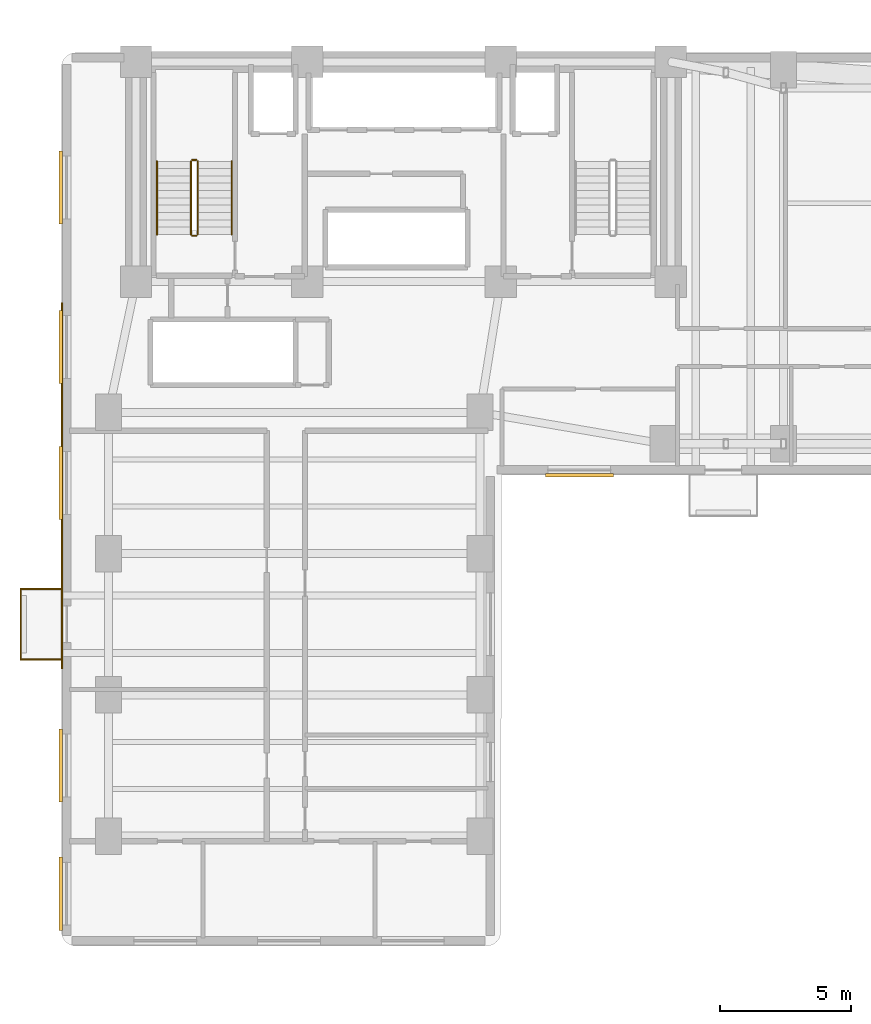
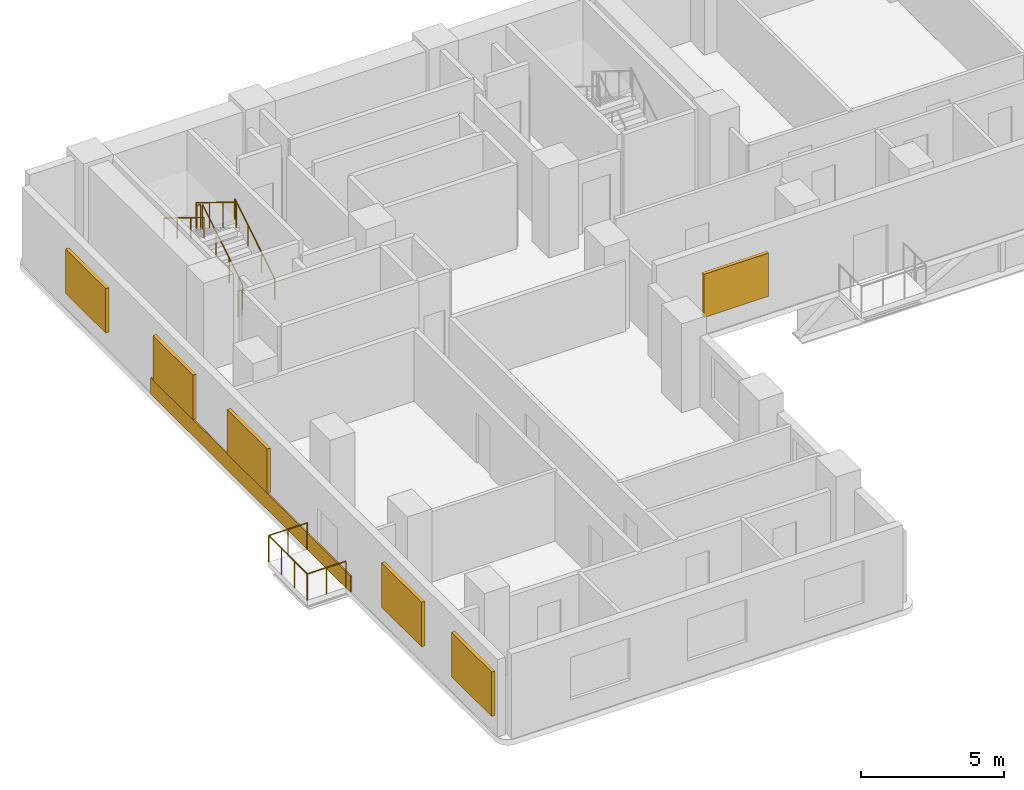
# One storey, part 12 of 15: 9 railings, 6 shading devices, 1 covering.
"""IFC4 building model written with IfcOpenShell, lengths in metres."""

import ifcopenshell
import ifcopenshell.guid

model = None  # the IFC model being written
_history = None  # IfcOwnerHistory: only IFC2X3 demands one
_inside = {}  # id of a spatial element -> (the spatial element, [elements in it])
_under = {}  # id of a project, library or spatial element -> (it, [spatial elements below it])
_declared = {}  # id of a project -> (the project, [libraries it declares])
_typed = {}  # id of a type object -> (the type object, [elements of that type])
_made_of = {}  # id of a material, layer set ... -> (it, [elements and type objects made of it])


def new_model(schema):
    """Start an empty IFC model of exactly this schema.

    Asked for "IFC4X3", IfcOpenShell would pick the latest addendum, in which some entities
    have other attributes; the version numbers below select the first issue.
    IFC2X3 requires an IfcOwnerHistory on every rooted entity: one is made here for all.
    """
    global model, _history
    if schema == "IFC4X3":
        model = ifcopenshell.file(schema_version=(4, 3, 0, 0))
    else:
        model = ifcopenshell.file(schema=schema)
    _inside.clear()
    _under.clear()
    _declared.clear()
    _typed.clear()
    _made_of.clear()
    _history = None
    if model.schema == "IFC2X3":
        org = make("IfcOrganization", Name="unknown")
        user = make(
            "IfcPersonAndOrganization",
            ThePerson=make("IfcPerson", FamilyName="unknown"),
            TheOrganization=org,
        )
        app = make(
            "IfcApplication",
            ApplicationDeveloper=org,
            Version="unknown",
            ApplicationFullName="unknown",
            ApplicationIdentifier="unknown",
        )
        _history = make(
            "IfcOwnerHistory",
            OwningUser=user,
            OwningApplication=app,
            ChangeAction="ADDED",
            CreationDate=0,
        )
    return model


def make(cls, **values):
    """One entity of the class cls with the attributes given. An attribute that is None is left unset."""
    return model.create_entity(
        cls, **{name: value for name, value in values.items() if value is not None}
    )


def rooted(cls, **values):
    """An entity with a GlobalId (a new one), such as an element, a storey or a relation."""
    return make(cls, GlobalId=ifcopenshell.guid.new(), OwnerHistory=_history, **values)


def si_unit(unit_type, name, prefix=None):
    """IfcSIUnit, for example si_unit("LENGTHUNIT", "METRE", prefix="MILLI")."""
    return make("IfcSIUnit", UnitType=unit_type, Prefix=prefix, Name=name)


def assignment(units):
    """IfcUnitAssignment: the units of a project."""
    return None if units is None else make("IfcUnitAssignment", Units=units)


def point(xyz):
    """IfcCartesianPoint."""
    return None if xyz is None else make("IfcCartesianPoint", Coordinates=xyz)


def direction(xyz):
    """IfcDirection."""
    return None if xyz is None else make("IfcDirection", DirectionRatios=xyz)


def frame(location, z_axis=None, x_axis=None):
    """IfcAxis2Placement3D, a coordinate frame: its origin and axes. An axis left out is left unset."""
    return make(
        "IfcAxis2Placement3D",
        Location=point(location),
        Axis=direction(z_axis),
        RefDirection=direction(x_axis),
    )


def frame_2d(location, x_axis=None):
    """IfcAxis2Placement2D, a coordinate frame in the plane: its origin and x axis."""
    return make(
        "IfcAxis2Placement2D", Location=point(location), RefDirection=direction(x_axis)
    )


def origin():
    """The frame at (0, 0, 0) with its axes left unset."""
    return frame((0.0, 0.0, 0.0))


def origin_2d():
    """The frame at (0, 0) in the plane with its x axis left unset."""
    return frame_2d((0.0, 0.0))


def place(relative_to, where):
    """IfcLocalPlacement: puts the frame where relative to a parent placement (None: the world)."""
    return make(
        "IfcLocalPlacement", PlacementRelTo=relative_to, RelativePlacement=where
    )


def context(
    kind, dimensions, precision=None, world=None, true_north=None, identifier=None
):
    """IfcGeometricRepresentationContext, for example the 3D "Model" context."""
    return make(
        "IfcGeometricRepresentationContext",
        ContextIdentifier=identifier,
        ContextType=kind,
        CoordinateSpaceDimension=dimensions,
        Precision=precision,
        WorldCoordinateSystem=world,
        TrueNorth=true_north,
    )


def subcontext(parent, identifier, kind, view, scale=None):
    """IfcGeometricRepresentationSubContext, for example "Body" below "Model"."""
    return make(
        "IfcGeometricRepresentationSubContext",
        ContextIdentifier=identifier,
        ContextType=kind,
        ParentContext=parent,
        TargetScale=scale,
        TargetView=view,
    )


def project(units=None, contexts=None):
    """IfcProject with its units and contexts."""
    return rooted(
        "IfcProject",
        Name="project",
        RepresentationContexts=contexts,
        UnitsInContext=assignment(units),
    )


def spatial(cls, under=None, at=None, **own):
    """A site, building, storey or space (cls), placed at a placement, below another one or the project."""
    s = rooted(cls, ObjectPlacement=at, **own)
    if under is not None:
        _under.setdefault(under.id(), (under, []))[1].append(s)
    return s


def profile(cls, at=None, kind="AREA", **sizes):
    """A parametric profile (cls). Its sizes go by their IFC names, for example OverallWidth=200.0."""
    return make(cls, ProfileType=kind, Position=at, **sizes)


def rectangle(**sizes):
    """IfcRectangleProfileDef."""
    return profile("IfcRectangleProfileDef", **sizes)


def circle(**sizes):
    """IfcCircleProfileDef."""
    return profile("IfcCircleProfileDef", **sizes)


def extrude(swept, where, along, depth):
    """IfcExtrudedAreaSolid: the profile swept, set in the frame where, extruded along a direction by depth."""
    return make(
        "IfcExtrudedAreaSolid",
        SweptArea=swept,
        Position=where,
        ExtrudedDirection=direction(along),
        Depth=depth,
    )


def shape(context_of_items, identifier, shape_type, items):
    """IfcShapeRepresentation: the items that make up one representation, for example the "Body"."""
    return make(
        "IfcShapeRepresentation",
        ContextOfItems=context_of_items,
        RepresentationIdentifier=identifier,
        RepresentationType=shape_type,
        Items=items,
    )


def material(Name=None, Category=None):
    """IfcMaterial."""
    return make("IfcMaterial", Name=Name, Category=Category)


def layer(
    of_material, thickness, ventilated=None, Name=None, Category=None, Priority=None
):
    """IfcMaterialLayer: one layer of a wall or slab, of a material (None: an air gap)."""
    return make(
        "IfcMaterialLayer",
        Material=of_material,
        LayerThickness=thickness,
        IsVentilated=ventilated,
        Name=Name,
        Category=Category,
        Priority=Priority,
    )


def layer_set(layers, Name=None):
    """IfcMaterialLayerSet."""
    return make("IfcMaterialLayerSet", MaterialLayers=layers, LayerSetName=Name)


def made_of(thing, what):
    """Note that an element or type object is made of a material, layer set ...; save() writes the relation."""
    if what is not None:
        _made_of.setdefault(what.id(), (what, []))[1].append(thing)
    return thing


def type_object(cls, material=None, **own):
    """A type object (cls), such as IfcWallType, which elements share."""
    return made_of(rooted(cls, **own), material)


def element(
    cls,
    number,
    at=None,
    inside=None,
    cuts=None,
    type_object=None,
    material=None,
    context=None,
    identifier="Body",
    shape_type=None,
    held_by="IfcProductDefinitionShape",
    body=None,
    shapes=None,
    **own,
):
    """One element of the class cls, such as IfcWall. Its Tag is "e" and its number.

    at: its placement. inside: the storey or other place that contains it. cuts: it is an
    opening in that element (IfcRelVoidsElement). A single representation is given by context,
    identifier, shape_type and body (its items); several are given by shapes. held_by: the class
    of the entity that holds the representations. save() writes the other relations.
    """
    e = rooted(cls, Tag="e%d" % number, ObjectPlacement=at, **own)
    if body is not None:
        shapes = [shape(context, identifier, shape_type, body)]
    if shapes is not None:
        e.Representation = make(held_by, Representations=shapes)
    if inside is not None:
        _inside.setdefault(inside.id(), (inside, []))[1].append(e)
    if cuts is not None:
        rooted(
            "IfcRelVoidsElement", RelatingBuildingElement=cuts, RelatedOpeningElement=e
        )
    if type_object is not None:
        _typed.setdefault(type_object.id(), (type_object, []))[1].append(e)
    return made_of(e, material)


def aggregate(whole, parts):
    """IfcRelAggregates: a whole, such as a stair, and the parts it consists of."""
    return rooted("IfcRelAggregates", RelatingObject=whole, RelatedObjects=parts)


def save(model, path):
    """Write the relations noted so far, then the file.

    IfcRelAggregates (storeys below a building ...), IfcRelContainedInSpatialStructure (elements
    in a storey), IfcRelDefinesByType, IfcRelAssociatesMaterial and IfcRelDeclares: one each for
    every whole, place, type object, material and project.
    """
    for whole, parts in _under.values():
        aggregate(whole, parts)
    for where, things in _inside.values():
        rooted(
            "IfcRelContainedInSpatialStructure",
            RelatedElements=things,
            RelatingStructure=where,
        )
    for kind, things in _typed.values():
        rooted("IfcRelDefinesByType", RelatedObjects=things, RelatingType=kind)
    for what, things in _made_of.values():
        rooted("IfcRelAssociatesMaterial", RelatedObjects=things, RelatingMaterial=what)
    for by, libraries in _declared.values():
        rooted("IfcRelDeclares", RelatingContext=by, RelatedDefinitions=libraries)
    model.write(path)


model = new_model("IFC4")

# Units and contexts
model_context = context("Model", 3, precision=1e-05, world=origin(), true_north=direction((0.0, 1.0)))
body_context = subcontext(model_context, "Body", "Model", "MODEL_VIEW")
ifc_project = project(units=[si_unit("LENGTHUNIT", "METRE"), si_unit("AREAUNIT", "SQUARE_METRE"), si_unit("VOLUMEUNIT", "CUBIC_METRE"), si_unit("PLANEANGLEUNIT", "RADIAN"), si_unit("MASSUNIT", "GRAM", prefix="KILO")], contexts=[model_context])

# Site, building, storey
site_placement = place(None, origin())
site = spatial("IfcSite", under=ifc_project, at=site_placement, CompositionType="ELEMENT")
building_placement = place(site_placement, origin())
building = spatial("IfcBuilding", under=site, at=building_placement, Name="Kuzgunbayir Cultural Tower", CompositionType="ELEMENT")
storey_placement = place(building_placement, frame((0.0, 0.0, 39.800048828125)))
storey = spatial("IfcBuildingStorey", under=building, at=storey_placement, Name="L10", CompositionType="ELEMENT", Elevation=39.800048828125)

# Covering
ifc_material_1 = material(Name="Anatolian Cream Limestone", Category="masonry")
ifc_layer_1 = layer(ifc_material_1, 0.06005859375)
ifc_layer_set_1 = layer_set([ifc_layer_1], Name="Anatolian Cream Limestone")
covering_type = type_object("IfcCoveringType", Name="COV-CLAD-LIMESTONE-6", PredefinedType="CLADDING", material=ifc_layer_set_1)
covering_placement = place(storey_placement, frame((3.6201171875, 26.0, 0.0), z_axis=(0.0, 0.0, 1.0), x_axis=(1.0, 0.0, 0.0)))
element("IfcCovering", 1, at=covering_placement, inside=storey, type_object=covering_type, Name="L10 Architectural Spandrel Cladding Band", PredefinedType="CLADDING", context=body_context, shape_type="SweptSolid", body=[
    extrude(rectangle(XDim=0.06005859375, YDim=14.0, at=origin_2d()), origin(), (0.0, 0.0, 1.0), 0.699951171875),
])

# Railings
ifc_material_2 = material(Name="Laminated Glass and Stainless Steel", Category="steel")
ifc_layer_2 = layer(ifc_material_2, 0.080078125)
ifc_layer_set_2 = layer_set([ifc_layer_2], Name="Laminated Glass and Stainless Steel")
railing_type_1 = type_object("IfcRailingType", Name="RLG-BAL-115", PredefinedType="BALUSTRADE", material=ifc_layer_set_2)
railing_1_placement = place(storey_placement, frame((3.60009765625, 19.35009765625, 0.0)))
element("IfcRailing", 2, at=railing_1_placement, inside=storey, type_object=railing_type_1, Name="L10 Balcony Guard BAL-L10-WA2 Segment 1", PredefinedType="BALUSTRADE", context=body_context, shape_type="SweptSolid", body=[
    extrude(circle(Radius=0.02392578125, at=origin_2d()), frame((0.0, 0.0, 1.1259765625), z_axis=(-1.0, 0.0, 0.0), x_axis=(0.0, -1.0, 0.0)), (0.0, 0.0, 1.0), 1.56005859375),
    extrude(circle(Radius=0.02099609375, at=origin_2d()), origin(), (0.0, 0.0, 1.0), 1.101806640625),
    extrude(circle(Radius=0.02099609375, at=origin_2d()), frame((-0.780029296875, 0.0, 0.0)), (0.0, 0.0, 1.0), 1.101806640625),
    extrude(circle(Radius=0.02099609375, at=origin_2d()), frame((-1.56005859375, 0.0, 0.0)), (0.0, 0.0, 1.0), 1.101806640625),
])
railing_2_placement = place(storey_placement, frame((2.0400390625, 19.35009765625, 0.0)))
element("IfcRailing", 3, at=railing_2_placement, inside=storey, type_object=railing_type_1, Name="L10 Balcony Guard BAL-L10-WA2 Segment 2", PredefinedType="BALUSTRADE", context=body_context, shape_type="SweptSolid", body=[
    extrude(circle(Radius=0.02392578125, at=origin_2d()), frame((0.0, 0.0, 1.1259765625), z_axis=(0.0, 1.0, 0.0), x_axis=(-1.0, 0.0, 0.0)), (0.0, 0.0, 1.0), 2.699951171875),
    extrude(circle(Radius=0.02099609375, at=origin_2d()), origin(), (0.0, 0.0, 1.0), 1.101806640625),
    extrude(circle(Radius=0.02099609375, at=origin_2d()), frame((0.0, 0.89990234375, 0.0)), (0.0, 0.0, 1.0), 1.101806640625),
    extrude(circle(Radius=0.02099609375, at=origin_2d()), frame((0.0, 1.800048828125, 0.0)), (0.0, 0.0, 1.0), 1.101806640625),
    extrude(circle(Radius=0.02099609375, at=origin_2d()), frame((0.0, 2.699951171875, 0.0)), (0.0, 0.0, 1.0), 1.101806640625),
])
railing_3_placement = place(storey_placement, frame((2.0400390625, 22.050048828125, 0.0)))
element("IfcRailing", 4, at=railing_3_placement, inside=storey, type_object=railing_type_1, Name="L10 Balcony Guard BAL-L10-WA2 Segment 3", PredefinedType="BALUSTRADE", context=body_context, shape_type="SweptSolid", body=[
    extrude(circle(Radius=0.02392578125, at=origin_2d()), frame((0.0, 0.0, 1.1259765625), z_axis=(1.0, 0.0, 0.0), x_axis=(0.0, 1.0, 0.0)), (0.0, 0.0, 1.0), 1.56005859375),
    extrude(circle(Radius=0.02099609375, at=origin_2d()), origin(), (0.0, 0.0, 1.0), 1.101806640625),
    extrude(circle(Radius=0.02099609375, at=origin_2d()), frame((0.780029296875, 0.0, 0.0)), (0.0, 0.0, 1.0), 1.101806640625),
    extrude(circle(Radius=0.02099609375, at=origin_2d()), frame((1.56005859375, 0.0, 0.0)), (0.0, 0.0, 1.0), 1.101806640625),
])
ifc_material_3 = material(Name="Brushed Stainless Steel", Category="steel")
ifc_layer_3 = layer(ifc_material_3, 0.050048828125)
ifc_layer_set_3 = layer_set([ifc_layer_3], Name="Brushed Stainless Steel")
railing_type_2 = type_object("IfcRailingType", Name="RLG-STAIR-HANDRAIL", PredefinedType="HANDRAIL", material=ifc_layer_set_3)
railing_4_placement = place(storey_placement, frame((10.110107421875, 35.60009765625, 0.172607421875)))
element("IfcRailing", 5, at=railing_4_placement, inside=storey, type_object=railing_type_2, Name="L10 ST-1 stair handrail 1", PredefinedType="HANDRAIL", context=body_context, shape_type="SweptSolid", body=[
    extrude(circle(Radius=0.02392578125, at=origin_2d()), frame((0.0, 0.0, 0.8759765625), z_axis=(0.0, 0.851069175582, 0.525053576669), x_axis=(-1.0, 0.0, 0.0)), (0.0, 0.0, 1.0), 3.289794921875),
    extrude(circle(Radius=0.02099609375, at=origin_2d()), origin(), (0.0, 0.0, 1.0), 0.851806640625),
    extrude(circle(Radius=0.02099609375, at=origin_2d()), frame((0.0, 0.933349609375, 0.57568359375)), (0.0, 0.0, 1.0), 0.851806640625),
    extrude(circle(Radius=0.02099609375, at=origin_2d()), frame((0.0, 1.866455078125, 1.151611328125)), (0.0, 0.0, 1.0), 0.851806640625),
    extrude(circle(Radius=0.02099609375, at=origin_2d()), frame((0.0, 2.7998046875, 1.727294921875)), (0.0, 0.0, 1.0), 0.851806640625),
])
railing_5_placement = place(storey_placement, frame((7.25, 38.39990234375, 2.07275390625)))
element("IfcRailing", 6, at=railing_5_placement, inside=storey, type_object=railing_type_2, Name="L10 ST-1 stair handrail 2", PredefinedType="HANDRAIL", context=body_context, shape_type="SweptSolid", body=[
    extrude(circle(Radius=0.02392578125, at=origin_2d()), frame((0.0, 0.0, 0.8759765625), z_axis=(0.0, -0.851069175582, 0.525053576669), x_axis=(1.0, 0.0, 0.0)), (0.0, 0.0, 1.0), 3.289794921875),
    extrude(circle(Radius=0.02099609375, at=origin_2d()), origin(), (0.0, 0.0, 1.0), 0.851806640625),
    extrude(circle(Radius=0.02099609375, at=origin_2d()), frame((0.0, -0.933349609375, 0.57568359375)), (0.0, 0.0, 1.0), 0.851806640625),
    extrude(circle(Radius=0.02099609375, at=origin_2d()), frame((0.0, -1.866455078125, 1.151611328125)), (0.0, 0.0, 1.0), 0.851806640625),
    extrude(circle(Radius=0.02099609375, at=origin_2d()), frame((0.0, -2.7998046875, 1.727294921875)), (0.0, 0.0, 1.0), 0.851806640625),
])
ifc_material_4 = material(Name="Painted Steel Balustrade", Category="steel")
ifc_layer_4 = layer(ifc_material_4, 0.06005859375)
ifc_layer_set_4 = layer_set([ifc_layer_4], Name="Painted Steel Balustrade")
railing_type_3 = type_object("IfcRailingType", Name="RLG-WELL-GUARD", PredefinedType="GUARDRAIL", material=ifc_layer_set_4)
railing_6_placement = place(storey_placement, frame((8.81005859375, 35.60009765625, 0.172607421875)))
element("IfcRailing", 7, at=railing_6_placement, inside=storey, type_object=railing_type_3, Name="L10 ST-1 stair guard 1", PredefinedType="GUARDRAIL", context=body_context, shape_type="SweptSolid", body=[
    extrude(circle(Radius=0.02392578125, at=origin_2d()), frame((0.0, 0.0, 1.076171875), z_axis=(0.0, 0.851069175582, 0.525053576669), x_axis=(-1.0, 0.0, 0.0)), (0.0, 0.0, 1.0), 3.289794921875),
    extrude(circle(Radius=0.02099609375, at=origin_2d()), origin(), (0.0, 0.0, 1.0), 1.052001953125),
    extrude(circle(Radius=0.02099609375, at=origin_2d()), frame((0.0, 0.933349609375, 0.57568359375)), (0.0, 0.0, 1.0), 1.052001953125),
    extrude(circle(Radius=0.02099609375, at=origin_2d()), frame((0.0, 1.866455078125, 1.151611328125)), (0.0, 0.0, 1.0), 1.052001953125),
    extrude(circle(Radius=0.02099609375, at=origin_2d()), frame((0.0, 2.7998046875, 1.727294921875)), (0.0, 0.0, 1.0), 1.052001953125),
])
railing_7_placement = place(storey_placement, frame((8.760009765625, 38.449951171875, 1.89990234375)))
element("IfcRailing", 8, at=railing_7_placement, inside=storey, type_object=railing_type_3, Name="L10 ST-1 stair guard 2", PredefinedType="GUARDRAIL", context=body_context, shape_type="SweptSolid", body=[
    extrude(circle(Radius=0.02392578125, at=origin_2d()), frame((0.0, 0.0, 1.076171875), z_axis=(-1.0, 0.0, 0.0), x_axis=(0.0, -1.0, 0.0)), (0.0, 0.0, 1.0), 0.159912109375),
    extrude(circle(Radius=0.02099609375, at=origin_2d()), origin(), (0.0, 0.0, 1.0), 1.052001953125),
    extrude(circle(Radius=0.02099609375, at=origin_2d()), frame((-0.159912109375, 0.0, 0.0)), (0.0, 0.0, 1.0), 1.052001953125),
])
railing_8_placement = place(storey_placement, frame((8.550048828125, 38.39990234375, 2.07275390625)))
element("IfcRailing", 9, at=railing_8_placement, inside=storey, type_object=railing_type_3, Name="L10 ST-1 stair guard 3", PredefinedType="GUARDRAIL", context=body_context, shape_type="SweptSolid", body=[
    extrude(circle(Radius=0.02392578125, at=origin_2d()), frame((0.0, 0.0, 1.076171875), z_axis=(0.0, -0.851069175582, 0.525053576669), x_axis=(1.0, 0.0, 0.0)), (0.0, 0.0, 1.0), 3.289794921875),
    extrude(circle(Radius=0.02099609375, at=origin_2d()), origin(), (0.0, 0.0, 1.0), 1.052001953125),
    extrude(circle(Radius=0.02099609375, at=origin_2d()), frame((0.0, -0.933349609375, 0.57568359375)), (0.0, 0.0, 1.0), 1.052001953125),
    extrude(circle(Radius=0.02099609375, at=origin_2d()), frame((0.0, -1.866455078125, 1.151611328125)), (0.0, 0.0, 1.0), 1.052001953125),
    extrude(circle(Radius=0.02099609375, at=origin_2d()), frame((0.0, -2.7998046875, 1.727294921875)), (0.0, 0.0, 1.0), 1.052001953125),
])
railing_9_placement = place(storey_placement, frame((8.760009765625, 35.550048828125, 0.0)))
element("IfcRailing", 10, at=railing_9_placement, inside=storey, type_object=railing_type_3, Name="L10 ST-1 stair guard 4", PredefinedType="GUARDRAIL", context=body_context, shape_type="SweptSolid", body=[
    extrude(circle(Radius=0.02392578125, at=origin_2d()), frame((0.0, 0.0, 1.076171875), z_axis=(-1.0, 0.0, 0.0), x_axis=(0.0, -1.0, 0.0)), (0.0, 0.0, 1.0), 0.159912109375),
    extrude(circle(Radius=0.02099609375, at=origin_2d()), origin(), (0.0, 0.0, 1.0), 1.052001953125),
    extrude(circle(Radius=0.02099609375, at=origin_2d()), frame((-0.159912109375, 0.0, 0.0)), (0.0, 0.0, 1.0), 1.052001953125),
])

# Shading devices
ifc_material_5 = material(Name="Perforated Bronze-Anodised Aluminium", Category="aluminium")
shading_device_type = type_object("IfcShadingDeviceType", Name="SHD-SOLAR-BRONZE", PredefinedType="JALOUSIE", material=ifc_material_5)
for number, where, z_axis, x_axis, name in (
    (11, (3.580078125, 10.39990234375, 0.800048828125), (0.0, 0.0, 1.0), (1.0, 0.0, 0.0), "L10 Perforated Bronze Solar Screen WAW2"),
    (12, (3.580078125, 15.300048828125, 0.800048828125), (0.0, 0.0, 1.0), (1.0, 0.0, 0.0), "L10 Perforated Bronze Solar Screen WAW3"),
    (13, (3.580078125, 26.10009765625, 0.800048828125), (0.0, 0.0, 1.0), (1.0, 0.0, 0.0), "L10 Perforated Bronze Solar Screen WAW4"),
    (14, (3.580078125, 31.300048828125, 0.800048828125), (0.0, 0.0, 1.0), (1.0, 0.0, 0.0), "L10 Perforated Bronze Solar Screen WAW5"),
    (15, (3.580078125, 37.39990234375, 0.800048828125), (0.0, 0.0, 1.0), (1.0, 0.0, 0.0), "L10 Perforated Bronze Solar Screen WAW6"),
):
    element("IfcShadingDevice", number, at=place(storey_placement, frame(where, z_axis=z_axis, x_axis=x_axis)), inside=storey, type_object=shading_device_type, Name=name, PredefinedType="JALOUSIE", context=body_context, shape_type="SweptSolid", body=[
        extrude(rectangle(XDim=0.139892578125, YDim=2.800048828125, at=origin_2d()), origin(), (0.0, 0.0, 1.0), 1.89990234375),
    ])
shading_device_placement = place(storey_placement, frame((23.39990234375, 26.389892578125, 0.824951171875), z_axis=(0.0, 0.0, 1.0), x_axis=(1.0, 0.0, 0.0)))
element("IfcShadingDevice", 16, at=shading_device_placement, inside=storey, type_object=shading_device_type, Name="L10 Solar Screen WBS11", PredefinedType="JALOUSIE", context=body_context, shape_type="SweptSolid", body=[
    extrude(rectangle(XDim=2.60009765625, YDim=0.139892578125, at=origin_2d()), origin(), (0.0, 0.0, 1.0), 1.85009765625),
])

save(model, "model.ifc")
